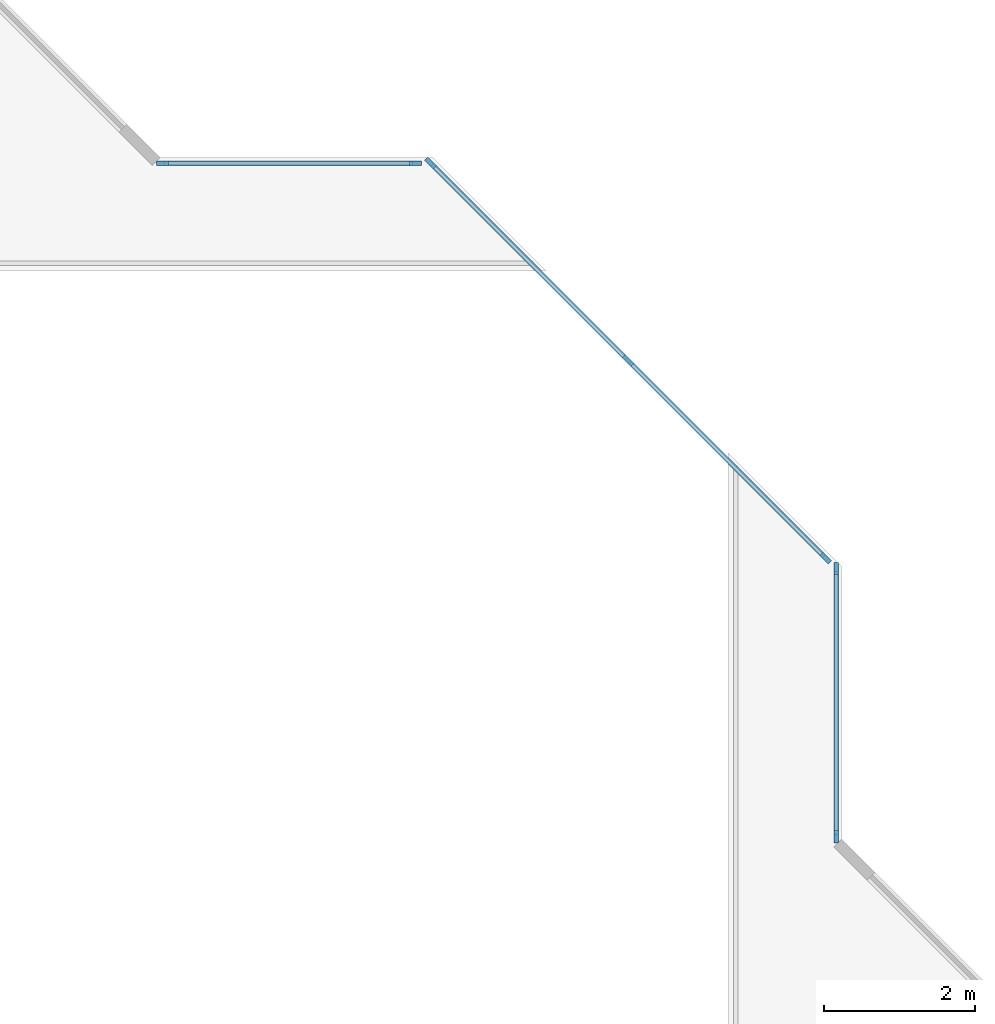
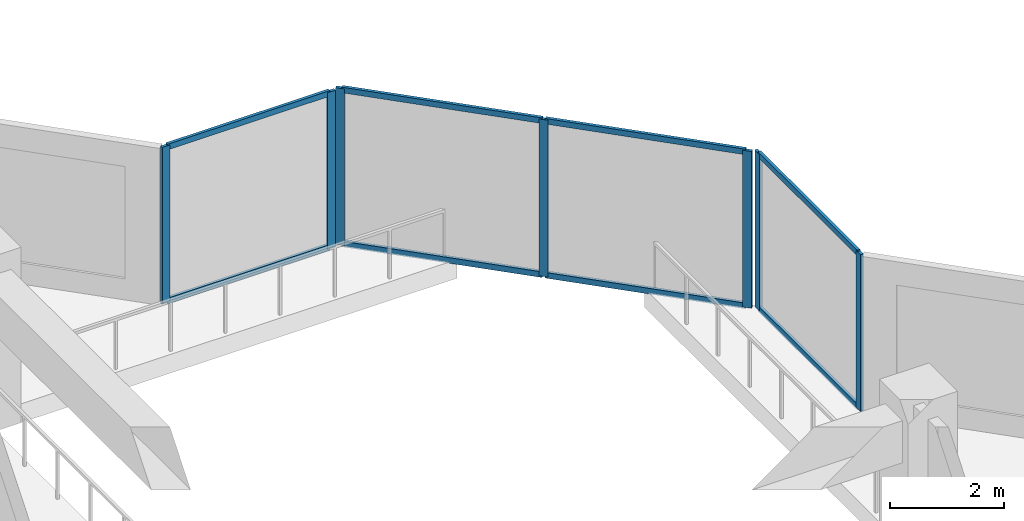
# One storey, part 2 of 15: 15 members, 3 elements without a shape of their own.
"""IFC4 building model written with IfcOpenShell, lengths in metres."""

from ifc_helpers import new_model, si_unit, direction, frame, origin, origin_2d, place, context, subcontext, project, spatial, rectangle, extrude, material, layer, layer_set, material_profile, profile_set, type_object, element, aggregate, save


model = new_model("IFC4")

# Units and contexts
model_context = context("Model", 3, precision=1e-05, world=origin(), true_north=direction((0.0, 1.0)))
body_context = subcontext(model_context, "Body", "Model", "MODEL_VIEW")
ifc_project = project(units=[si_unit("LENGTHUNIT", "METRE"), si_unit("AREAUNIT", "SQUARE_METRE"), si_unit("VOLUMEUNIT", "CUBIC_METRE"), si_unit("PLANEANGLEUNIT", "RADIAN"), si_unit("MASSUNIT", "GRAM", prefix="KILO")], contexts=[model_context])

# Site, building, storey
site_placement = place(None, origin())
site = spatial("IfcSite", under=ifc_project, at=site_placement, CompositionType="ELEMENT")
building_placement = place(site_placement, origin())
building = spatial("IfcBuilding", under=site, at=building_placement, Name="Chenar Terraces", CompositionType="ELEMENT")
storey_placement = place(building_placement, frame((0.0, 0.0, 133.14990234375)))
storey = spatial("IfcBuildingStorey", under=building, at=storey_placement, Name="L31", CompositionType="ELEMENT", Elevation=133.14990234375)

# Curtain wall, members
ifc_material_1 = material(Name="Aluminium framed glazing", Category="aluminium")
ifc_layer = layer(ifc_material_1, 0.14990234375)
ifc_layer_set = layer_set([ifc_layer], Name="Aluminium framed glazing")
curtain_wall_type = type_object("IfcCurtainWallType", Name="Atrium curtain wall", PredefinedType="NOTDEFINED", material=ifc_layer_set)
placement = place(storey_placement, origin())
curtain_wall_1 = element("IfcCurtainWall", 1, at=placement, inside=storey, type_object=curtain_wall_type, Name="Atrium curtain wall", PredefinedType="NOTDEFINED")
ifc_material_2 = material(Name="Aluminium", Category="aluminium")
ifc_material_profile_1 = material_profile(ifc_material_2, rectangle(XDim=0.06005859375, YDim=0.159912109375, at=origin_2d()), Name="Atrium glazing mullion 60 x 160")
ifc_profile_set_1 = profile_set([ifc_material_profile_1], Name="Aluminium")
member_type_1 = type_object("IfcMemberType", Name="Atrium glazing mullion 60 x 160", PredefinedType="MULLION", material=ifc_profile_set_1)
member_1_placement = place(storey_placement, frame((37.425048828125, 28.530029296875, 0.0), z_axis=(0.0, 0.0, 1.0), x_axis=(-1.0, 0.0, 0.0)))
member_1 = element("IfcMember", 2, at=member_1_placement, type_object=member_type_1, Name="CW1-1 mullion 1", PredefinedType="MULLION", context=body_context, shape_type="SweptSolid", body=[
    extrude(rectangle(XDim=0.06005859375, YDim=0.159912109375, at=origin_2d()), origin(), (0.0, 0.0, 1.0), 3.35009765625),
])
member_2_placement = place(storey_placement, frame((37.425048828125, 32.070068359375, 0.0), z_axis=(0.0, 0.0, 1.0), x_axis=(-1.0, 0.0, 0.0)))
member_2 = element("IfcMember", 3, at=member_2_placement, type_object=member_type_1, Name="CW1-1 mullion 2", PredefinedType="MULLION", context=body_context, shape_type="SweptSolid", body=[
    extrude(rectangle(XDim=0.06005859375, YDim=0.159912109375, at=origin_2d()), origin(), (0.0, 0.0, 1.0), 3.35009765625),
])

curtain_wall_2 = element("IfcCurtainWall", 4, at=placement, inside=storey, type_object=curtain_wall_type, Name="Atrium curtain wall", PredefinedType="NOTDEFINED")
member_3_placement = place(storey_placement, frame((37.284423828125, 32.209716796875, 0.0), z_axis=(0.0, 0.0, 1.0), x_axis=(-0.707106781187, -0.707106781187, 0.0)))
member_3 = element("IfcMember", 5, at=member_3_placement, type_object=member_type_1, Name="CW1-2 mullion 1", PredefinedType="MULLION", context=body_context, shape_type="SweptSolid", body=[
    extrude(rectangle(XDim=0.06005859375, YDim=0.159912109375, at=origin_2d()), origin(), (0.0, 0.0, 1.0), 3.35009765625),
])
member_4_placement = place(storey_placement, frame((34.67626953125, 34.817626953125, 0.0), z_axis=(0.0, 0.0, 1.0), x_axis=(-0.707106781187, -0.707106781187, 0.0)))
member_4 = element("IfcMember", 6, at=member_4_placement, type_object=member_type_1, Name="CW1-2 mullion 2", PredefinedType="MULLION", context=body_context, shape_type="SweptSolid", body=[
    extrude(rectangle(XDim=0.06005859375, YDim=0.159912109375, at=origin_2d()), origin(), (0.0, 0.0, 1.0), 3.35009765625),
])
member_5_placement = place(storey_placement, frame((32.068115234375, 37.42578125, 0.0), z_axis=(0.0, 0.0, 1.0), x_axis=(-0.707106781187, -0.707106781187, 0.0)))
member_5 = element("IfcMember", 7, at=member_5_placement, type_object=member_type_1, Name="CW1-2 mullion 3", PredefinedType="MULLION", context=body_context, shape_type="SweptSolid", body=[
    extrude(rectangle(XDim=0.06005859375, YDim=0.159912109375, at=origin_2d()), origin(), (0.0, 0.0, 1.0), 3.35009765625),
])

curtain_wall_3 = element("IfcCurtainWall", 8, at=placement, inside=storey, type_object=curtain_wall_type, Name="Atrium curtain wall", PredefinedType="NOTDEFINED")
member_6_placement = place(storey_placement, frame((31.8701171875, 37.425048828125, 0.0), z_axis=(0.0, 0.0, 1.0), x_axis=(0.0, -1.0, 0.0)))
member_6 = element("IfcMember", 9, at=member_6_placement, type_object=member_type_1, Name="CW1-3 mullion 1", PredefinedType="MULLION", context=body_context, shape_type="SweptSolid", body=[
    extrude(rectangle(XDim=0.06005859375, YDim=0.159912109375, at=origin_2d()), origin(), (0.0, 0.0, 1.0), 3.35009765625),
])
member_7_placement = place(storey_placement, frame((28.530029296875, 37.425048828125, 0.0), z_axis=(0.0, 0.0, 1.0), x_axis=(0.0, -1.0, 0.0)))
member_7 = element("IfcMember", 10, at=member_7_placement, type_object=member_type_1, Name="CW1-3 mullion 2", PredefinedType="MULLION", context=body_context, shape_type="SweptSolid", body=[
    extrude(rectangle(XDim=0.06005859375, YDim=0.159912109375, at=origin_2d()), origin(), (0.0, 0.0, 1.0), 3.35009765625),
])

# Member
ifc_material_3 = material(Name="Aluminium", Category="aluminium")
ifc_material_profile_2 = material_profile(ifc_material_3, rectangle(XDim=0.06005859375, YDim=0.1201171875, at=origin_2d()), Name="Atrium glazing transom 60 x 120")
ifc_profile_set_2 = profile_set([ifc_material_profile_2], Name="Aluminium")
member_type_2 = type_object("IfcMemberType", Name="Atrium glazing transom 60 x 120", PredefinedType="USERDEFINED", material=ifc_profile_set_2)
member_8_placement = place(storey_placement, frame((37.425048828125, 28.56005859375, 0.030029296875), z_axis=(0.0, 1.0, 0.0), x_axis=(-1.0, 0.0, 0.0)))
member_8 = element("IfcMember", 11, at=member_8_placement, type_object=member_type_2, Name="CW1-1 transom 1.1", ObjectType="TRANSOM", PredefinedType="USERDEFINED", context=body_context, shape_type="SweptSolid", body=[
    extrude(rectangle(XDim=0.06005859375, YDim=0.1201171875, at=origin_2d()), origin(), (0.0, 0.0, 1.0), 3.47998046875),
])

member_9_placement = place(storey_placement, frame((37.425048828125, 28.56005859375, 3.320068359375), z_axis=(0.0, 1.0, 0.0), x_axis=(-1.0, 0.0, 0.0)))
member_9 = element("IfcMember", 12, at=member_9_placement, type_object=member_type_2, Name="CW1-1 transom 1.2", ObjectType="TRANSOM", PredefinedType="USERDEFINED", context=body_context, shape_type="SweptSolid", body=[
    extrude(rectangle(XDim=0.06005859375, YDim=0.1201171875, at=origin_2d()), origin(), (0.0, 0.0, 1.0), 3.47998046875),
])

aggregate(curtain_wall_1, [member_1, member_2, member_8, member_9])

member_10_placement = place(storey_placement, frame((37.26318359375, 32.230712890625, 0.030029296875), z_axis=(-0.707106781187, 0.707106781187, 0.0), x_axis=(-0.707106781187, -0.707106781187, 0.0)))
member_10 = element("IfcMember", 13, at=member_10_placement, type_object=member_type_2, Name="CW1-2 transom 1.1", ObjectType="TRANSOM", PredefinedType="USERDEFINED", context=body_context, shape_type="SweptSolid", body=[
    extrude(rectangle(XDim=0.06005859375, YDim=0.1201171875, at=origin_2d()), origin(), (0.0, 0.0, 1.0), 3.62841796875),
])

member_11_placement = place(storey_placement, frame((37.26318359375, 32.230712890625, 3.320068359375), z_axis=(-0.707106781187, 0.707106781187, 0.0), x_axis=(-0.707106781187, -0.707106781187, 0.0)))
member_11 = element("IfcMember", 14, at=member_11_placement, type_object=member_type_2, Name="CW1-2 transom 1.2", ObjectType="TRANSOM", PredefinedType="USERDEFINED", context=body_context, shape_type="SweptSolid", body=[
    extrude(rectangle(XDim=0.06005859375, YDim=0.1201171875, at=origin_2d()), origin(), (0.0, 0.0, 1.0), 3.62841796875),
])

member_12_placement = place(storey_placement, frame((34.655029296875, 34.8388671875, 0.030029296875), z_axis=(-0.707106781187, 0.707106781187, 0.0), x_axis=(-0.707106781187, -0.707106781187, 0.0)))
member_12 = element("IfcMember", 15, at=member_12_placement, type_object=member_type_2, Name="CW1-2 transom 2.1", ObjectType="TRANSOM", PredefinedType="USERDEFINED", context=body_context, shape_type="SweptSolid", body=[
    extrude(rectangle(XDim=0.06005859375, YDim=0.1201171875, at=origin_2d()), origin(), (0.0, 0.0, 1.0), 3.62841796875),
])

member_13_placement = place(storey_placement, frame((34.655029296875, 34.8388671875, 3.320068359375), z_axis=(-0.707106781187, 0.707106781187, 0.0), x_axis=(-0.707106781187, -0.707106781187, 0.0)))
member_13 = element("IfcMember", 16, at=member_13_placement, type_object=member_type_2, Name="CW1-2 transom 2.2", ObjectType="TRANSOM", PredefinedType="USERDEFINED", context=body_context, shape_type="SweptSolid", body=[
    extrude(rectangle(XDim=0.06005859375, YDim=0.1201171875, at=origin_2d()), origin(), (0.0, 0.0, 1.0), 3.62841796875),
])

aggregate(curtain_wall_2, [member_3, member_4, member_5, member_10, member_11, member_12, member_13])

member_14_placement = place(storey_placement, frame((31.840087890625, 37.425048828125, 0.030029296875), z_axis=(-1.0, 0.0, 0.0), x_axis=(0.0, -1.0, 0.0)))
member_14 = element("IfcMember", 17, at=member_14_placement, type_object=member_type_2, Name="CW1-3 transom 1.1", ObjectType="TRANSOM", PredefinedType="USERDEFINED", context=body_context, shape_type="SweptSolid", body=[
    extrude(rectangle(XDim=0.06005859375, YDim=0.1201171875, at=origin_2d()), origin(), (0.0, 0.0, 1.0), 3.280029296875),
])

member_15_placement = place(storey_placement, frame((31.840087890625, 37.425048828125, 3.320068359375), z_axis=(-1.0, 0.0, 0.0), x_axis=(0.0, -1.0, 0.0)))
member_15 = element("IfcMember", 18, at=member_15_placement, type_object=member_type_2, Name="CW1-3 transom 1.2", ObjectType="TRANSOM", PredefinedType="USERDEFINED", context=body_context, shape_type="SweptSolid", body=[
    extrude(rectangle(XDim=0.06005859375, YDim=0.1201171875, at=origin_2d()), origin(), (0.0, 0.0, 1.0), 3.280029296875),
])

aggregate(curtain_wall_3, [member_6, member_7, member_14, member_15])

save(model, "model.ifc")
